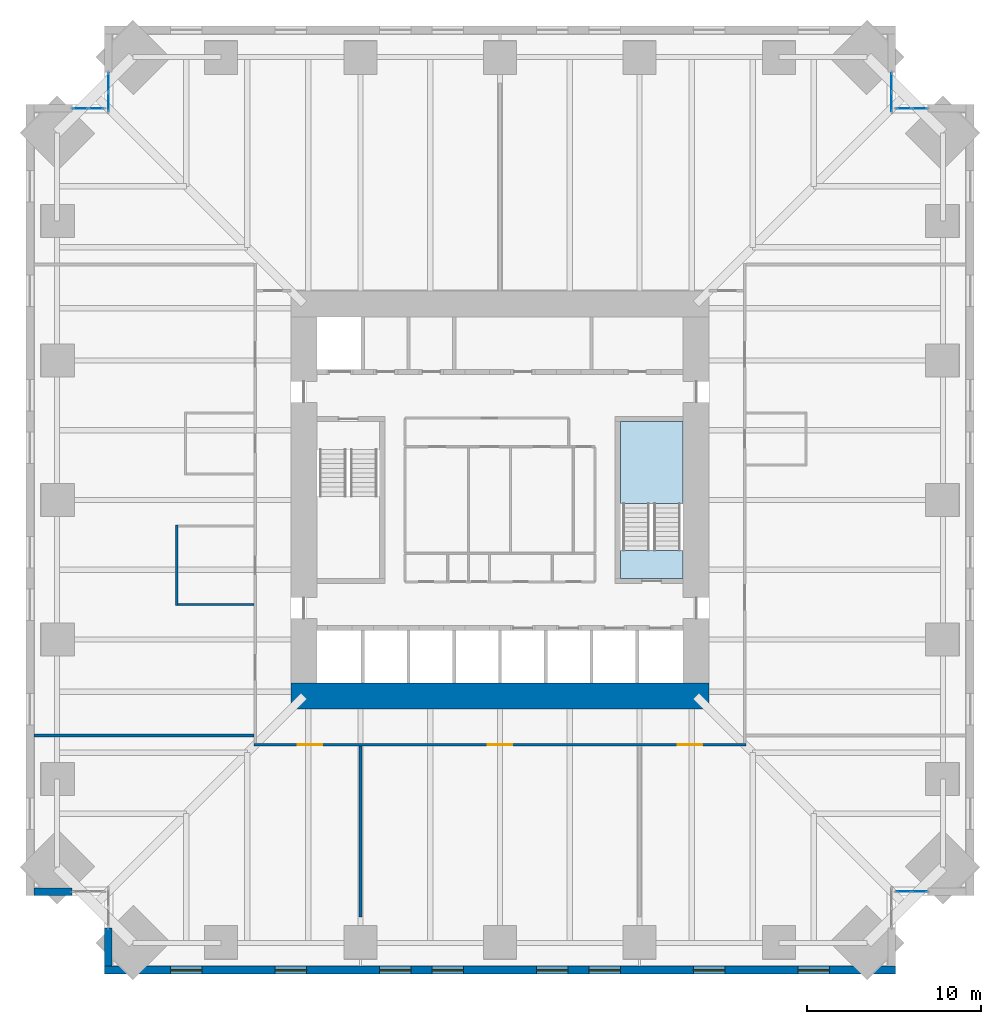
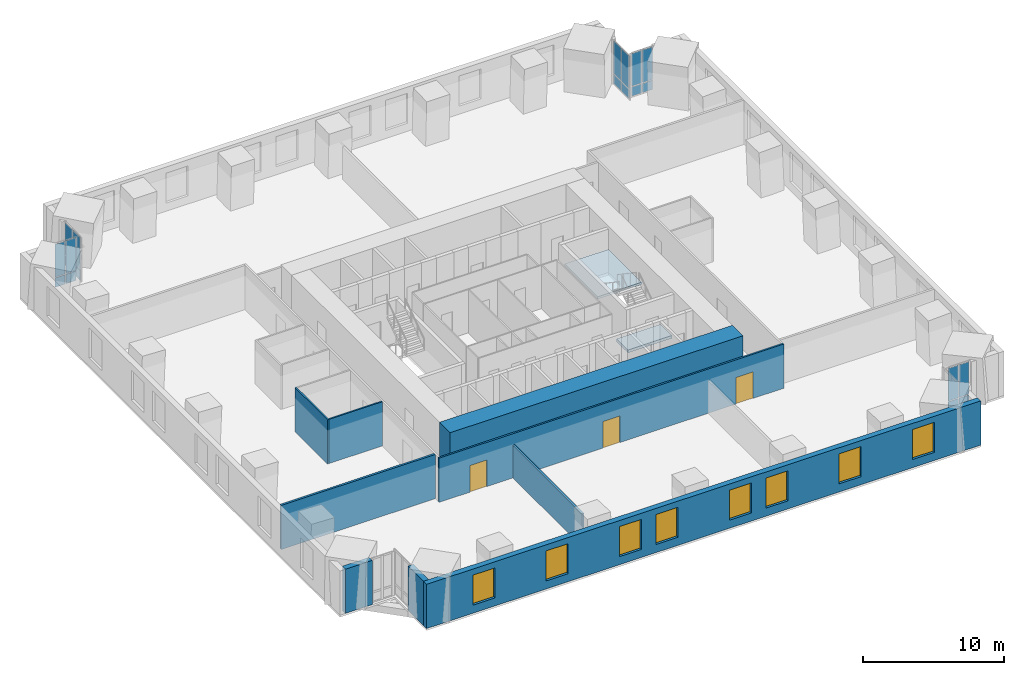
# One storey, part 11 of 16: 20 plates, 9 walls, 8 windows, 3 doors, 2 slabs, 11 openings, 6 elements without a shape of their own.
"""IFC4 building model written with IfcOpenShell, lengths in metres."""

from ifc_helpers import new_model, si_unit, direction, frame, frame_2d, origin, origin_2d, place, context, subcontext, project, spatial, polyline, rectangle, outline, extrude, material, layer, layer_set, type_object, element, fill, aggregate, save


model = new_model("IFC4")

# Units and contexts
model_context = context("Model", 3, precision=1e-05, world=origin(), true_north=direction((0.0, 1.0)))
body_context = subcontext(model_context, "Body", "Model", "MODEL_VIEW")
ifc_project = project(units=[si_unit("LENGTHUNIT", "METRE"), si_unit("AREAUNIT", "SQUARE_METRE"), si_unit("VOLUMEUNIT", "CUBIC_METRE"), si_unit("PLANEANGLEUNIT", "RADIAN"), si_unit("MASSUNIT", "GRAM", prefix="KILO")], contexts=[model_context])

# Site, building, storey
site_placement = place(None, origin())
site = spatial("IfcSite", under=ifc_project, at=site_placement, CompositionType="ELEMENT")
building_placement = place(site_placement, origin())
building = spatial("IfcBuilding", under=site, at=building_placement, Name="Peilmerk Tower", CompositionType="ELEMENT")
storey_placement = place(building_placement, frame((0.0, 0.0, 135.800048828125)))
storey = spatial("IfcBuildingStorey", under=building, at=storey_placement, Name="L27", CompositionType="ELEMENT", Elevation=135.800048828125)

# Curtain wall, plates
ifc_material_1 = material(Name="Aluminium stick curtain wall", Category="aluminium")
curtain_wall_type = type_object("IfcCurtainWallType", Name="CW3 stick curtain wall, 2250 module", PredefinedType="NOTDEFINED", material=ifc_material_1)
curtain_wall_1_placement = place(storey_placement, origin())
curtain_wall_1 = element("IfcCurtainWall", 1, at=curtain_wall_1_placement, inside=storey, type_object=curtain_wall_type, Name="Curtain wall CW3 NEA L27", PredefinedType="NOTDEFINED")
ifc_material_2 = material(Name="Clear insulated glazing unit", Category="glass")
ifc_layer_1 = layer(ifc_material_2, 0.028076171875)
ifc_layer_set_1 = layer_set([ifc_layer_1], Name="Clear insulated glazing unit")
plate_type = type_object("IfcPlateType", Name="CW3-P 28 glazed panel", PredefinedType="CURTAIN_PANEL", material=ifc_layer_set_1)
plate_1_placement = place(storey_placement, frame((22.47509765625, 22.83837890625, 0.06494140625), z_axis=(0.0, 0.0, 1.0), x_axis=(0.0, 1.0, 0.0)))
plate_1 = element("IfcPlate", 2, at=plate_1_placement, type_object=plate_type, Name="CW3 panel 1.1", PredefinedType="CURTAIN_PANEL", context=body_context, shape_type="SweptSolid", body=[
    extrude(rectangle(XDim=1.046875, YDim=0.028076171875, at=origin_2d()), origin(), (0.0, 0.0, 1.0), 0.802490234375),
])
plate_2_placement = place(storey_placement, frame((22.47509765625, 22.83837890625, 0.932373046875), z_axis=(0.0, 0.0, 1.0), x_axis=(0.0, 1.0, 0.0)))
plate_2 = element("IfcPlate", 3, at=plate_2_placement, type_object=plate_type, Name="CW3 panel 1.2", PredefinedType="CURTAIN_PANEL", context=body_context, shape_type="SweptSolid", body=[
    extrude(rectangle(XDim=1.046875, YDim=0.028076171875, at=origin_2d()), origin(), (0.0, 0.0, 1.0), 2.83251953125),
])
plate_3_placement = place(storey_placement, frame((22.47509765625, 23.9501953125, 0.06494140625), z_axis=(0.0, 0.0, 1.0), x_axis=(0.0, 1.0, 0.0)))
plate_3 = element("IfcPlate", 4, at=plate_3_placement, type_object=plate_type, Name="CW3 panel 2.1", PredefinedType="CURTAIN_PANEL", context=body_context, shape_type="SweptSolid", body=[
    extrude(rectangle(XDim=1.046875, YDim=0.028076171875, at=origin_2d()), origin(), (0.0, 0.0, 1.0), 0.802490234375),
])
plate_4_placement = place(storey_placement, frame((22.47509765625, 23.9501953125, 0.932373046875), z_axis=(0.0, 0.0, 1.0), x_axis=(0.0, 1.0, 0.0)))
plate_4 = element("IfcPlate", 5, at=plate_4_placement, type_object=plate_type, Name="CW3 panel 2.2", PredefinedType="CURTAIN_PANEL", context=body_context, shape_type="SweptSolid", body=[
    extrude(rectangle(XDim=1.046875, YDim=0.028076171875, at=origin_2d()), origin(), (0.0, 0.0, 1.0), 2.83251953125),
])
aggregate(curtain_wall_1, [plate_1, plate_2, plate_3, plate_4])

curtain_wall_2_placement = place(storey_placement, origin())
curtain_wall_2 = element("IfcCurtainWall", 6, at=curtain_wall_2_placement, inside=storey, type_object=curtain_wall_type, Name="Curtain wall CW3 NEB L27", PredefinedType="NOTDEFINED")
plate_5_placement = place(storey_placement, frame((23.176025390625, 22.47509765625, 0.06494140625), z_axis=(0.0, 0.0, 1.0), x_axis=(1.0, 0.0, 0.0)))
plate_5 = element("IfcPlate", 7, at=plate_5_placement, type_object=plate_type, Name="CW3 panel 1.1", PredefinedType="CURTAIN_PANEL", context=body_context, shape_type="SweptSolid", body=[
    extrude(rectangle(XDim=0.82177734375, YDim=0.028076171875, at=origin_2d()), origin(), (0.0, 0.0, 1.0), 0.802490234375),
])
plate_6_placement = place(storey_placement, frame((23.176025390625, 22.47509765625, 0.932373046875), z_axis=(0.0, 0.0, 1.0), x_axis=(1.0, 0.0, 0.0)))
plate_6 = element("IfcPlate", 8, at=plate_6_placement, type_object=plate_type, Name="CW3 panel 1.2", PredefinedType="CURTAIN_PANEL", context=body_context, shape_type="SweptSolid", body=[
    extrude(rectangle(XDim=0.82177734375, YDim=0.028076171875, at=origin_2d()), origin(), (0.0, 0.0, 1.0), 2.83251953125),
])
plate_7_placement = place(storey_placement, frame((24.062744140625, 22.47509765625, 0.06494140625), z_axis=(0.0, 0.0, 1.0), x_axis=(1.0, 0.0, 0.0)))
plate_7 = element("IfcPlate", 9, at=plate_7_placement, type_object=plate_type, Name="CW3 panel 2.1", PredefinedType="CURTAIN_PANEL", context=body_context, shape_type="SweptSolid", body=[
    extrude(rectangle(XDim=0.82177734375, YDim=0.028076171875, at=origin_2d()), origin(), (0.0, 0.0, 1.0), 0.802490234375),
])
plate_8_placement = place(storey_placement, frame((24.062744140625, 22.47509765625, 0.932373046875), z_axis=(0.0, 0.0, 1.0), x_axis=(1.0, 0.0, 0.0)))
plate_8 = element("IfcPlate", 10, at=plate_8_placement, type_object=plate_type, Name="CW3 panel 2.2", PredefinedType="CURTAIN_PANEL", context=body_context, shape_type="SweptSolid", body=[
    extrude(rectangle(XDim=0.82177734375, YDim=0.028076171875, at=origin_2d()), origin(), (0.0, 0.0, 1.0), 2.83251953125),
])
aggregate(curtain_wall_2, [plate_5, plate_6, plate_7, plate_8])

curtain_wall_3_placement = place(storey_placement, origin())
curtain_wall_3 = element("IfcCurtainWall", 11, at=curtain_wall_3_placement, inside=storey, type_object=curtain_wall_type, Name="Curtain wall CW3 SEB L27", PredefinedType="NOTDEFINED")
plate_9_placement = place(storey_placement, frame((23.176025390625, -22.47509765625, 0.06494140625), z_axis=(0.0, 0.0, 1.0), x_axis=(1.0, 0.0, 0.0)))
plate_9 = element("IfcPlate", 12, at=plate_9_placement, type_object=plate_type, Name="CW3 panel 1.1", PredefinedType="CURTAIN_PANEL", context=body_context, shape_type="SweptSolid", body=[
    extrude(rectangle(XDim=0.82177734375, YDim=0.028076171875, at=origin_2d()), origin(), (0.0, 0.0, 1.0), 0.802490234375),
])
plate_10_placement = place(storey_placement, frame((23.176025390625, -22.47509765625, 0.932373046875), z_axis=(0.0, 0.0, 1.0), x_axis=(1.0, 0.0, 0.0)))
plate_10 = element("IfcPlate", 13, at=plate_10_placement, type_object=plate_type, Name="CW3 panel 1.2", PredefinedType="CURTAIN_PANEL", context=body_context, shape_type="SweptSolid", body=[
    extrude(rectangle(XDim=0.82177734375, YDim=0.028076171875, at=origin_2d()), origin(), (0.0, 0.0, 1.0), 2.83251953125),
])
plate_11_placement = place(storey_placement, frame((24.062744140625, -22.47509765625, 0.06494140625), z_axis=(0.0, 0.0, 1.0), x_axis=(1.0, 0.0, 0.0)))
plate_11 = element("IfcPlate", 14, at=plate_11_placement, type_object=plate_type, Name="CW3 panel 2.1", PredefinedType="CURTAIN_PANEL", context=body_context, shape_type="SweptSolid", body=[
    extrude(rectangle(XDim=0.82177734375, YDim=0.028076171875, at=origin_2d()), origin(), (0.0, 0.0, 1.0), 0.802490234375),
])
plate_12_placement = place(storey_placement, frame((24.062744140625, -22.47509765625, 0.932373046875), z_axis=(0.0, 0.0, 1.0), x_axis=(1.0, 0.0, 0.0)))
plate_12 = element("IfcPlate", 15, at=plate_12_placement, type_object=plate_type, Name="CW3 panel 2.2", PredefinedType="CURTAIN_PANEL", context=body_context, shape_type="SweptSolid", body=[
    extrude(rectangle(XDim=0.82177734375, YDim=0.028076171875, at=origin_2d()), origin(), (0.0, 0.0, 1.0), 2.83251953125),
])
aggregate(curtain_wall_3, [plate_9, plate_10, plate_11, plate_12])

curtain_wall_4_placement = place(storey_placement, origin())
curtain_wall_4 = element("IfcCurtainWall", 16, at=curtain_wall_4_placement, inside=storey, type_object=curtain_wall_type, Name="Curtain wall CW3 NWA L27", PredefinedType="NOTDEFINED")
plate_13_placement = place(storey_placement, frame((-22.47509765625, 22.83837890625, 0.06494140625), z_axis=(0.0, 0.0, 1.0), x_axis=(0.0, 1.0, 0.0)))
plate_13 = element("IfcPlate", 17, at=plate_13_placement, type_object=plate_type, Name="CW3 panel 1.1", PredefinedType="CURTAIN_PANEL", context=body_context, shape_type="SweptSolid", body=[
    extrude(rectangle(XDim=1.046875, YDim=0.028076171875, at=origin_2d()), origin(), (0.0, 0.0, 1.0), 0.802490234375),
])
plate_14_placement = place(storey_placement, frame((-22.47509765625, 22.83837890625, 0.932373046875), z_axis=(0.0, 0.0, 1.0), x_axis=(0.0, 1.0, 0.0)))
plate_14 = element("IfcPlate", 18, at=plate_14_placement, type_object=plate_type, Name="CW3 panel 1.2", PredefinedType="CURTAIN_PANEL", context=body_context, shape_type="SweptSolid", body=[
    extrude(rectangle(XDim=1.046875, YDim=0.028076171875, at=origin_2d()), origin(), (0.0, 0.0, 1.0), 2.83251953125),
])
plate_15_placement = place(storey_placement, frame((-22.47509765625, 23.9501953125, 0.06494140625), z_axis=(0.0, 0.0, 1.0), x_axis=(0.0, 1.0, 0.0)))
plate_15 = element("IfcPlate", 19, at=plate_15_placement, type_object=plate_type, Name="CW3 panel 2.1", PredefinedType="CURTAIN_PANEL", context=body_context, shape_type="SweptSolid", body=[
    extrude(rectangle(XDim=1.046875, YDim=0.028076171875, at=origin_2d()), origin(), (0.0, 0.0, 1.0), 0.802490234375),
])
plate_16_placement = place(storey_placement, frame((-22.47509765625, 23.9501953125, 0.932373046875), z_axis=(0.0, 0.0, 1.0), x_axis=(0.0, 1.0, 0.0)))
plate_16 = element("IfcPlate", 20, at=plate_16_placement, type_object=plate_type, Name="CW3 panel 2.2", PredefinedType="CURTAIN_PANEL", context=body_context, shape_type="SweptSolid", body=[
    extrude(rectangle(XDim=1.046875, YDim=0.028076171875, at=origin_2d()), origin(), (0.0, 0.0, 1.0), 2.83251953125),
])
aggregate(curtain_wall_4, [plate_13, plate_14, plate_15, plate_16])

curtain_wall_5_placement = place(storey_placement, origin())
curtain_wall_5 = element("IfcCurtainWall", 21, at=curtain_wall_5_placement, inside=storey, type_object=curtain_wall_type, Name="Curtain wall CW3 NWB L27", PredefinedType="NOTDEFINED")
plate_17_placement = place(storey_placement, frame((-23.176025390625, 22.47509765625, 0.06494140625), z_axis=(0.0, 0.0, 1.0), x_axis=(-1.0, 0.0, 0.0)))
plate_17 = element("IfcPlate", 22, at=plate_17_placement, type_object=plate_type, Name="CW3 panel 1.1", PredefinedType="CURTAIN_PANEL", context=body_context, shape_type="SweptSolid", body=[
    extrude(rectangle(XDim=0.82177734375, YDim=0.028076171875, at=origin_2d()), origin(), (0.0, 0.0, 1.0), 0.802490234375),
])
plate_18_placement = place(storey_placement, frame((-23.176025390625, 22.47509765625, 0.932373046875), z_axis=(0.0, 0.0, 1.0), x_axis=(-1.0, 0.0, 0.0)))
plate_18 = element("IfcPlate", 23, at=plate_18_placement, type_object=plate_type, Name="CW3 panel 1.2", PredefinedType="CURTAIN_PANEL", context=body_context, shape_type="SweptSolid", body=[
    extrude(rectangle(XDim=0.82177734375, YDim=0.028076171875, at=origin_2d()), origin(), (0.0, 0.0, 1.0), 2.83251953125),
])
plate_19_placement = place(storey_placement, frame((-24.062744140625, 22.47509765625, 0.06494140625), z_axis=(0.0, 0.0, 1.0), x_axis=(-1.0, 0.0, 0.0)))
plate_19 = element("IfcPlate", 24, at=plate_19_placement, type_object=plate_type, Name="CW3 panel 2.1", PredefinedType="CURTAIN_PANEL", context=body_context, shape_type="SweptSolid", body=[
    extrude(rectangle(XDim=0.82177734375, YDim=0.028076171875, at=origin_2d()), origin(), (0.0, 0.0, 1.0), 0.802490234375),
])
plate_20_placement = place(storey_placement, frame((-24.062744140625, 22.47509765625, 0.932373046875), z_axis=(0.0, 0.0, 1.0), x_axis=(-1.0, 0.0, 0.0)))
plate_20 = element("IfcPlate", 25, at=plate_20_placement, type_object=plate_type, Name="CW3 panel 2.2", PredefinedType="CURTAIN_PANEL", context=body_context, shape_type="SweptSolid", body=[
    extrude(rectangle(XDim=0.82177734375, YDim=0.028076171875, at=origin_2d()), origin(), (0.0, 0.0, 1.0), 2.83251953125),
])
aggregate(curtain_wall_5, [plate_17, plate_18, plate_19, plate_20])

# Stair, slabs
ifc_material_3 = material(Name="Precast concrete C45/55", Category="concrete")
stair_type = type_object("IfcStairType", Name="ST2 22 risers of 181.8", PredefinedType="HALF_TURN_STAIR", material=ifc_material_3)
stair_placement = place(storey_placement, origin())
stair = element("IfcStair", 26, at=stair_placement, inside=storey, type_object=stair_type, Name="Stair 2 L27 to L28", PredefinedType="HALF_TURN_STAIR")
ifc_material_4 = material(Name="Concrete C35/45", Category="concrete")
ifc_layer_2 = layer(ifc_material_4, 0.199951171875)
ifc_layer_set_2 = layer_set([ifc_layer_2], Name="Concrete C35/45")
slab_type_1 = type_object("IfcSlabType", Name="SL1 200 concrete stair landing", PredefinedType="LANDING", material=ifc_layer_set_2)
slab_1_placement = place(storey_placement, frame((0.0, 0.0, 1.800048828125)))
slab_1 = element("IfcSlab", 27, at=slab_1_placement, type_object=slab_type_1, Name="ST2 landing 1", PredefinedType="LANDING", context=body_context, shape_type="SweptSolid", body=[
    extrude(outline(polyline([(6.89990234375, -0.199951171875), (10.5, -0.199951171875), (10.5, 4.5), (6.89990234375, 4.5), (6.89990234375, -0.199951171875)])), origin(), (0.0, 0.0, 1.0), 0.199951171875),
])
ifc_layer_3 = layer(ifc_material_4, 0.25)
ifc_layer_set_3 = layer_set([ifc_layer_3], Name="Concrete C35/45")
slab_type_2 = type_object("IfcSlabType", Name="SL2 250 concrete floor landing", PredefinedType="LANDING", material=ifc_layer_set_3)
slab_2_placement = place(storey_placement, frame((0.0, 0.0, -0.25)))
slab_2 = element("IfcSlab", 28, at=slab_2_placement, type_object=slab_type_2, Name="ST2 floor landing", PredefinedType="LANDING", context=body_context, shape_type="SweptSolid", body=[
    extrude(outline(polyline([(6.89990234375, -4.5), (10.5, -4.5), (10.5, -2.89990234375), (6.89990234375, -2.89990234375), (6.89990234375, -4.5)])), origin(), (0.0, 0.0, 1.0), 0.25),
])
aggregate(stair, [slab_1, slab_2])

# Wall, openings, windows
ifc_material_5 = material(Name="Precast concrete C45/55, board-marked finish", Category="concrete")
ifc_layer_4 = layer(ifc_material_5, 0.449951171875)
ifc_layer_set_4 = layer_set([ifc_layer_4], Name="Precast concrete C45/55, board-marked finish")
wall_type_1 = type_object("IfcWallType", Name="EW1 450 precast concrete facade wall, board-marked", PredefinedType="SOLIDWALL", material=ifc_layer_set_4)
wall_1_placement = place(storey_placement, frame((-22.699951171875, -26.97509765625, 0.0), z_axis=(0.0, 0.0, 1.0), x_axis=(1.0, 0.0, 0.0)))
wall_1 = element("IfcWall", 29, at=wall_1_placement, inside=storey, type_object=wall_type_1, Name="Facade wall S L27", PredefinedType="SOLIDWALL", context=body_context, shape_type="SweptSolid", body=[
    extrude(rectangle(XDim=45.39990234375, YDim=0.449951171875, at=frame_2d((22.699951171875, 0.0))), origin(), (0.0, 0.0, 1.0), 3.829833984375),
])
opening_1_placement = place(wall_1_placement, frame((3.800048828125, 0.0, 0.699951171875)))
opening_1 = element("IfcOpeningElement", 30, at=opening_1_placement, cuts=wall_1, Name="Opening W1", PredefinedType="OPENING", context=body_context, shape_type="SweptSolid", body=[
    extrude(rectangle(XDim=1.800048828125, YDim=2.60009765625, at=frame_2d((0.89990234375, 1.300048828125))), frame((0.0, 0.23486328125, 0.0), z_axis=(0.0, -1.0, 0.0), x_axis=(1.0, 0.0, 0.0)), (0.0, 0.0, 1.0), 0.469970703125),
])
opening_2_placement = place(wall_1_placement, frame((9.800048828125, 0.0, 0.699951171875)))
opening_2 = element("IfcOpeningElement", 31, at=opening_2_placement, cuts=wall_1, Name="Opening W1", PredefinedType="OPENING", context=body_context, shape_type="SweptSolid", body=[
    extrude(rectangle(XDim=1.800048828125, YDim=2.60009765625, at=frame_2d((0.89990234375, 1.300048828125))), frame((0.0, 0.23486328125, 0.0), z_axis=(0.0, -1.0, 0.0), x_axis=(1.0, 0.0, 0.0)), (0.0, 0.0, 1.0), 0.469970703125),
])
opening_3_placement = place(wall_1_placement, frame((15.800048828125, 0.0, 0.699951171875)))
opening_3 = element("IfcOpeningElement", 32, at=opening_3_placement, cuts=wall_1, Name="Opening W1", PredefinedType="OPENING", context=body_context, shape_type="SweptSolid", body=[
    extrude(rectangle(XDim=1.800048828125, YDim=2.60009765625, at=frame_2d((0.89990234375, 1.300048828125))), frame((0.0, 0.23486328125, 0.0), z_axis=(0.0, -1.0, 0.0), x_axis=(1.0, 0.0, 0.0)), (0.0, 0.0, 1.0), 0.469970703125),
])
opening_4_placement = place(wall_1_placement, frame((18.800048828125, 0.0, 0.699951171875)))
opening_4 = element("IfcOpeningElement", 33, at=opening_4_placement, cuts=wall_1, Name="Opening W1", PredefinedType="OPENING", context=body_context, shape_type="SweptSolid", body=[
    extrude(rectangle(XDim=1.800048828125, YDim=2.60009765625, at=frame_2d((0.89990234375, 1.300048828125))), frame((0.0, 0.23486328125, 0.0), z_axis=(0.0, -1.0, 0.0), x_axis=(1.0, 0.0, 0.0)), (0.0, 0.0, 1.0), 0.469970703125),
])
opening_5_placement = place(wall_1_placement, frame((24.800048828125, 0.0, 0.699951171875)))
opening_5 = element("IfcOpeningElement", 34, at=opening_5_placement, cuts=wall_1, Name="Opening W1", PredefinedType="OPENING", context=body_context, shape_type="SweptSolid", body=[
    extrude(rectangle(XDim=1.800048828125, YDim=2.60009765625, at=frame_2d((0.89990234375, 1.300048828125))), frame((0.0, 0.23486328125, 0.0), z_axis=(0.0, -1.0, 0.0), x_axis=(1.0, 0.0, 0.0)), (0.0, 0.0, 1.0), 0.469970703125),
])
opening_6_placement = place(wall_1_placement, frame((27.800048828125, 0.0, 0.699951171875)))
opening_6 = element("IfcOpeningElement", 35, at=opening_6_placement, cuts=wall_1, Name="Opening W1", PredefinedType="OPENING", context=body_context, shape_type="SweptSolid", body=[
    extrude(rectangle(XDim=1.800048828125, YDim=2.60009765625, at=frame_2d((0.89990234375, 1.300048828125))), frame((0.0, 0.23486328125, 0.0), z_axis=(0.0, -1.0, 0.0), x_axis=(1.0, 0.0, 0.0)), (0.0, 0.0, 1.0), 0.469970703125),
])
opening_7_placement = place(wall_1_placement, frame((33.800048828125, 0.0, 0.699951171875)))
opening_7 = element("IfcOpeningElement", 36, at=opening_7_placement, cuts=wall_1, Name="Opening W1", PredefinedType="OPENING", context=body_context, shape_type="SweptSolid", body=[
    extrude(rectangle(XDim=1.800048828125, YDim=2.60009765625, at=frame_2d((0.89990234375, 1.300048828125))), frame((0.0, 0.23486328125, 0.0), z_axis=(0.0, -1.0, 0.0), x_axis=(1.0, 0.0, 0.0)), (0.0, 0.0, 1.0), 0.469970703125),
])
opening_8_placement = place(wall_1_placement, frame((39.800048828125, 0.0, 0.699951171875)))
opening_8 = element("IfcOpeningElement", 37, at=opening_8_placement, cuts=wall_1, Name="Opening W1", PredefinedType="OPENING", context=body_context, shape_type="SweptSolid", body=[
    extrude(rectangle(XDim=1.800048828125, YDim=2.60009765625, at=frame_2d((0.89990234375, 1.300048828125))), frame((0.0, 0.23486328125, 0.0), z_axis=(0.0, -1.0, 0.0), x_axis=(1.0, 0.0, 0.0)), (0.0, 0.0, 1.0), 0.469970703125),
])
ifc_material_6 = material(Name="Aluminium frame, clear double glazing", Category="aluminium")
window_type = type_object("IfcWindowType", Name="W1 1800x2600 office window", PartitioningType="SINGLE_PANEL", PredefinedType="WINDOW", material=ifc_material_6)
window_1_placement = place(opening_1_placement, origin())
window_1 = element("IfcWindow", 38, at=window_1_placement, inside=storey, type_object=window_type, Name="Window W1 L27", OverallHeight=2.60009765625, OverallWidth=1.800048828125, PartitioningType="SINGLE_PANEL", PredefinedType="WINDOW", context=body_context, shape_type="SweptSolid", body=[
    extrude(rectangle(XDim=1.800048828125, YDim=2.60009765625, at=frame_2d((0.89990234375, 1.300048828125))), frame((0.0, 0.030029296875, 0.0), z_axis=(0.0, -1.0, 0.0), x_axis=(1.0, 0.0, 0.0)), (0.0, 0.0, 1.0), 0.06005859375),
])
fill(opening_1, window_1)
window_2_placement = place(opening_2_placement, origin())
window_2 = element("IfcWindow", 39, at=window_2_placement, inside=storey, type_object=window_type, Name="Window W1 L27", OverallHeight=2.60009765625, OverallWidth=1.800048828125, PartitioningType="SINGLE_PANEL", PredefinedType="WINDOW", context=body_context, shape_type="SweptSolid", body=[
    extrude(rectangle(XDim=1.800048828125, YDim=2.60009765625, at=frame_2d((0.89990234375, 1.300048828125))), frame((0.0, 0.030029296875, 0.0), z_axis=(0.0, -1.0, 0.0), x_axis=(1.0, 0.0, 0.0)), (0.0, 0.0, 1.0), 0.06005859375),
])
fill(opening_2, window_2)
window_3_placement = place(opening_3_placement, origin())
window_3 = element("IfcWindow", 40, at=window_3_placement, inside=storey, type_object=window_type, Name="Window W1 L27", OverallHeight=2.60009765625, OverallWidth=1.800048828125, PartitioningType="SINGLE_PANEL", PredefinedType="WINDOW", context=body_context, shape_type="SweptSolid", body=[
    extrude(rectangle(XDim=1.800048828125, YDim=2.60009765625, at=frame_2d((0.89990234375, 1.300048828125))), frame((0.0, 0.030029296875, 0.0), z_axis=(0.0, -1.0, 0.0), x_axis=(1.0, 0.0, 0.0)), (0.0, 0.0, 1.0), 0.06005859375),
])
fill(opening_3, window_3)
window_4_placement = place(opening_4_placement, origin())
window_4 = element("IfcWindow", 41, at=window_4_placement, inside=storey, type_object=window_type, Name="Window W1 L27", OverallHeight=2.60009765625, OverallWidth=1.800048828125, PartitioningType="SINGLE_PANEL", PredefinedType="WINDOW", context=body_context, shape_type="SweptSolid", body=[
    extrude(rectangle(XDim=1.800048828125, YDim=2.60009765625, at=frame_2d((0.89990234375, 1.300048828125))), frame((0.0, 0.030029296875, 0.0), z_axis=(0.0, -1.0, 0.0), x_axis=(1.0, 0.0, 0.0)), (0.0, 0.0, 1.0), 0.06005859375),
])
fill(opening_4, window_4)
window_5_placement = place(opening_5_placement, origin())
window_5 = element("IfcWindow", 42, at=window_5_placement, inside=storey, type_object=window_type, Name="Window W1 L27", OverallHeight=2.60009765625, OverallWidth=1.800048828125, PartitioningType="SINGLE_PANEL", PredefinedType="WINDOW", context=body_context, shape_type="SweptSolid", body=[
    extrude(rectangle(XDim=1.800048828125, YDim=2.60009765625, at=frame_2d((0.89990234375, 1.300048828125))), frame((0.0, 0.030029296875, 0.0), z_axis=(0.0, -1.0, 0.0), x_axis=(1.0, 0.0, 0.0)), (0.0, 0.0, 1.0), 0.06005859375),
])
fill(opening_5, window_5)
window_6_placement = place(opening_6_placement, origin())
window_6 = element("IfcWindow", 43, at=window_6_placement, inside=storey, type_object=window_type, Name="Window W1 L27", OverallHeight=2.60009765625, OverallWidth=1.800048828125, PartitioningType="SINGLE_PANEL", PredefinedType="WINDOW", context=body_context, shape_type="SweptSolid", body=[
    extrude(rectangle(XDim=1.800048828125, YDim=2.60009765625, at=frame_2d((0.89990234375, 1.300048828125))), frame((0.0, 0.030029296875, 0.0), z_axis=(0.0, -1.0, 0.0), x_axis=(1.0, 0.0, 0.0)), (0.0, 0.0, 1.0), 0.06005859375),
])
fill(opening_6, window_6)
window_7_placement = place(opening_7_placement, origin())
window_7 = element("IfcWindow", 44, at=window_7_placement, inside=storey, type_object=window_type, Name="Window W1 L27", OverallHeight=2.60009765625, OverallWidth=1.800048828125, PartitioningType="SINGLE_PANEL", PredefinedType="WINDOW", context=body_context, shape_type="SweptSolid", body=[
    extrude(rectangle(XDim=1.800048828125, YDim=2.60009765625, at=frame_2d((0.89990234375, 1.300048828125))), frame((0.0, 0.030029296875, 0.0), z_axis=(0.0, -1.0, 0.0), x_axis=(1.0, 0.0, 0.0)), (0.0, 0.0, 1.0), 0.06005859375),
])
fill(opening_7, window_7)
window_8_placement = place(opening_8_placement, origin())
window_8 = element("IfcWindow", 45, at=window_8_placement, inside=storey, type_object=window_type, Name="Window W1 L27", OverallHeight=2.60009765625, OverallWidth=1.800048828125, PartitioningType="SINGLE_PANEL", PredefinedType="WINDOW", context=body_context, shape_type="SweptSolid", body=[
    extrude(rectangle(XDim=1.800048828125, YDim=2.60009765625, at=frame_2d((0.89990234375, 1.300048828125))), frame((0.0, 0.030029296875, 0.0), z_axis=(0.0, -1.0, 0.0), x_axis=(1.0, 0.0, 0.0)), (0.0, 0.0, 1.0), 0.06005859375),
])
fill(opening_8, window_8)

# Walls
for number, where, z_axis, x_axis, name in (
    (46, (-22.47509765625, -24.5537109375, 0.0), (0.0, 0.0, 1.0), (0.0, -1.0, 0.0), "Facade wall SWA L27"),
    (47, (-24.5537109375, -22.47509765625, 0.0), (0.0, 0.0, 1.0), (-1.0, 0.0, 0.0), "Facade wall SWB L27"),
):
    element("IfcWall", number, at=place(storey_placement, frame(where, z_axis=z_axis, x_axis=x_axis)), inside=storey, type_object=wall_type_1, Name=name, PredefinedType="SOLIDWALL", context=body_context, shape_type="SweptSolid", body=[
        extrude(rectangle(XDim=2.1962890625, YDim=0.449951171875, at=frame_2d((1.09814453125, 0.0))), origin(), (0.0, 0.0, 1.0), 3.829833984375),
    ])

# Wall, openings, doors
ifc_material_7 = material(Name="Calcium silicate block", Category="masonry")
ifc_layer_5 = layer(ifc_material_7, 0.14990234375)
ifc_layer_set_5 = layer_set([ifc_layer_5], Name="Calcium silicate block")
wall_type_2 = type_object("IfcWallType", Name="IW1 150 corridor partition, EI 60", PredefinedType="PARTITIONING", material=ifc_layer_set_5)
wall_2_placement = place(storey_placement, frame((14.125, -14.050048828125, 0.0), z_axis=(0.0, 0.0, 1.0), x_axis=(-1.0, 0.0, 0.0)))
wall_2 = element("IfcWall", 48, at=wall_2_placement, inside=storey, type_object=wall_type_2, Name="Corridor wall S L27", PredefinedType="PARTITIONING", context=body_context, shape_type="SweptSolid", body=[
    extrude(rectangle(XDim=28.25, YDim=0.14990234375, at=frame_2d((14.125, 0.0))), origin(), (0.0, 0.0, 1.0), 3.829833984375),
])
opening_9_placement = place(wall_2_placement, frame((24.324951171875, 0.0, 0.0)))
opening_9 = element("IfcOpeningElement", 49, at=opening_9_placement, cuts=wall_2, Name="Opening D8", PredefinedType="OPENING", context=body_context, shape_type="SweptSolid", body=[
    extrude(rectangle(XDim=1.39990234375, YDim=2.300048828125, at=frame_2d((0.699951171875, 1.14990234375))), frame((0.0, 0.0849609375, 0.0), z_axis=(0.0, -1.0, 0.0), x_axis=(1.0, 0.0, 0.0)), (0.0, 0.0, 1.0), 0.169921875),
])
opening_10_placement = place(wall_2_placement, frame((13.425048828125, 0.0, 0.0)))
opening_10 = element("IfcOpeningElement", 50, at=opening_10_placement, cuts=wall_2, Name="Opening D8", PredefinedType="OPENING", context=body_context, shape_type="SweptSolid", body=[
    extrude(rectangle(XDim=1.39990234375, YDim=2.300048828125, at=frame_2d((0.699951171875, 1.14990234375))), frame((0.0, 0.0849609375, 0.0), z_axis=(0.0, -1.0, 0.0), x_axis=(1.0, 0.0, 0.0)), (0.0, 0.0, 1.0), 0.169921875),
])
opening_11_placement = place(wall_2_placement, frame((2.52490234375, 0.0, 0.0)))
opening_11 = element("IfcOpeningElement", 51, at=opening_11_placement, cuts=wall_2, Name="Opening D8", PredefinedType="OPENING", context=body_context, shape_type="SweptSolid", body=[
    extrude(rectangle(XDim=1.39990234375, YDim=2.300048828125, at=frame_2d((0.699951171875, 1.14990234375))), frame((0.0, 0.0849609375, 0.0), z_axis=(0.0, -1.0, 0.0), x_axis=(1.0, 0.0, 0.0)), (0.0, 0.0, 1.0), 0.169921875),
])
ifc_material_8 = material(Name="Timber door in steel frame", Category="steel")
door_type = type_object("IfcDoorType", Name="D8 1400x2300 leaf-and-a-half door, EI2 30", OperationType="DOUBLE_DOOR_SINGLE_SWING", PredefinedType="DOOR", material=ifc_material_8)
door_1_placement = place(opening_9_placement, origin())
door_1 = element("IfcDoor", 52, at=door_1_placement, inside=storey, type_object=door_type, Name="Door Tenant suite L27", OperationType="DOUBLE_DOOR_SINGLE_SWING", OverallHeight=2.300048828125, OverallWidth=1.39990234375, PredefinedType="DOOR", context=body_context, shape_type="SweptSolid", body=[
    extrude(rectangle(XDim=1.39990234375, YDim=2.300048828125, at=frame_2d((0.699951171875, 1.14990234375))), frame((0.0, 0.02490234375, 0.0), z_axis=(0.0, -1.0, 0.0), x_axis=(1.0, 0.0, 0.0)), (0.0, 0.0, 1.0), 0.050048828125),
])
fill(opening_9, door_1)
door_2_placement = place(opening_10_placement, origin())
door_2 = element("IfcDoor", 53, at=door_2_placement, inside=storey, type_object=door_type, Name="Door Client suite L27", OperationType="DOUBLE_DOOR_SINGLE_SWING", OverallHeight=2.300048828125, OverallWidth=1.39990234375, PredefinedType="DOOR", context=body_context, shape_type="SweptSolid", body=[
    extrude(rectangle(XDim=1.39990234375, YDim=2.300048828125, at=frame_2d((0.699951171875, 1.14990234375))), frame((0.0, 0.02490234375, 0.0), z_axis=(0.0, -1.0, 0.0), x_axis=(1.0, 0.0, 0.0)), (0.0, 0.0, 1.0), 0.050048828125),
])
fill(opening_10, door_2)
door_3_placement = place(opening_11_placement, origin())
door_3 = element("IfcDoor", 54, at=door_3_placement, inside=storey, type_object=door_type, Name="Door Tenant suite L27", OperationType="DOUBLE_DOOR_SINGLE_SWING", OverallHeight=2.300048828125, OverallWidth=1.39990234375, PredefinedType="DOOR", context=body_context, shape_type="SweptSolid", body=[
    extrude(rectangle(XDim=1.39990234375, YDim=2.300048828125, at=frame_2d((0.699951171875, 1.14990234375))), frame((0.0, 0.02490234375, 0.0), z_axis=(0.0, -1.0, 0.0), x_axis=(1.0, 0.0, 0.0)), (0.0, 0.0, 1.0), 0.050048828125),
])
fill(opening_11, door_3)

# Walls
ifc_material_9 = material(Name="Plasterboard on steel studs, double boarded with mineral wool", Category="steel")
ifc_layer_6 = layer(ifc_material_9, 0.125)
ifc_layer_set_6 = layer_set([ifc_layer_6], Name="Plasterboard on steel studs, double boarded with mineral wool")
wall_type_3 = type_object("IfcWallType", Name="IW7 125 acoustic partition, EI 30", PredefinedType="PARTITIONING", material=ifc_layer_set_6)
wall_3_placement = place(storey_placement, frame((-18.550048828125, -6.0625, 0.0), z_axis=(0.0, 0.0, 1.0), x_axis=(0.0, 1.0, 0.0)))
element("IfcWall", 55, at=wall_3_placement, inside=storey, type_object=wall_type_3, Name="Acoustic partition Meeting room L27", PredefinedType="PARTITIONING", context=body_context, shape_type="SweptSolid", body=[
    extrude(rectangle(XDim=4.625, YDim=0.125, at=frame_2d((2.3125, 0.0))), origin(), (0.0, 0.0, 1.0), 3.829833984375),
])
wall_4_placement = place(storey_placement, frame((-14.125, -6.0, 0.0), z_axis=(0.0, 0.0, 1.0), x_axis=(-1.0, 0.0, 0.0)))
element("IfcWall", 56, at=wall_4_placement, inside=storey, type_object=wall_type_3, Name="Acoustic partition Meeting room L27", PredefinedType="PARTITIONING", context=body_context, shape_type="SweptSolid", body=[
    extrude(rectangle(XDim=4.362548828125, YDim=0.125, at=frame_2d((2.18115234375, 0.0))), origin(), (0.0, 0.0, 1.0), 3.829833984375),
])
ifc_layer_7 = layer(ifc_material_7, 0.175048828125)
ifc_layer_set_7 = layer_set([ifc_layer_7], Name="Calcium silicate block")
wall_type_4 = type_object("IfcWallType", Name="IW8 175 tenant separating wall, EI 60", PredefinedType="PARTITIONING", material=ifc_layer_set_7)
wall_5_placement = place(storey_placement, frame((-14.125, -13.5, 0.0), z_axis=(0.0, 0.0, 1.0), x_axis=(-1.0, 0.0, 0.0)))
element("IfcWall", 57, at=wall_5_placement, inside=storey, type_object=wall_type_4, Name="Tenant separating wall SW L27", PredefinedType="PARTITIONING", context=body_context, shape_type="SweptSolid", body=[
    extrude(rectangle(XDim=12.625, YDim=0.175048828125, at=frame_2d((6.3125, 0.0))), origin(), (0.0, 0.0, 1.0), 3.829833984375),
])
wall_6_placement = place(storey_placement, frame((-8.0, -14.125, 0.0), z_axis=(0.0, 0.0, 1.0), x_axis=(0.0, -1.0, 0.0)))
element("IfcWall", 58, at=wall_6_placement, inside=storey, type_object=wall_type_4, Name="Tenant separating wall S1 L27", PredefinedType="PARTITIONING", context=body_context, shape_type="SweptSolid", body=[
    extrude(rectangle(XDim=9.791259765625, YDim=0.175048828125, at=frame_2d((4.8955078125, 0.0))), origin(), (0.0, 0.0, 1.0), 2.829833984375),
])
ifc_material_10 = material(Name="Concrete C55/67", Category="concrete")
ifc_layer_8 = layer(ifc_material_10, 1.5)
ifc_layer_set_8 = layer_set([ifc_layer_8], Name="Concrete C55/67")
wall_type_5 = type_object("IfcWallType", Name="SW1 1500 core wall", PredefinedType="SHEAR", material=ifc_layer_set_8)
wall_7_placement = place(storey_placement, frame((12.0, -11.25, 0.0), z_axis=(0.0, 0.0, 1.0), x_axis=(-1.0, 0.0, 0.0)))
element("IfcWall", 59, at=wall_7_placement, inside=storey, type_object=wall_type_5, Name="Core wall S L27", PredefinedType="SHEAR", context=body_context, shape_type="SweptSolid", body=[
    extrude(rectangle(XDim=24.0, YDim=1.5, at=frame_2d((12.0, 0.0))), origin(), (0.0, 0.0, 1.0), 4.0),
])

save(model, "model.ifc")
